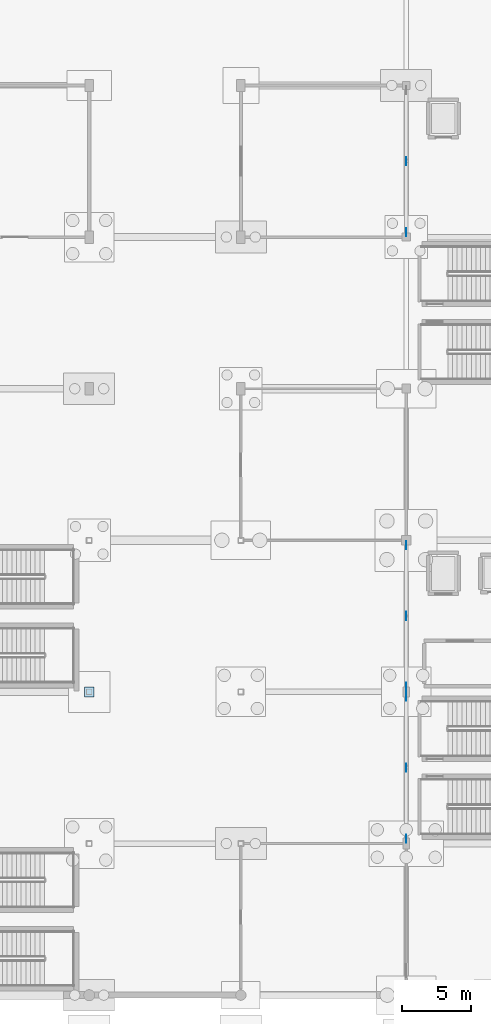
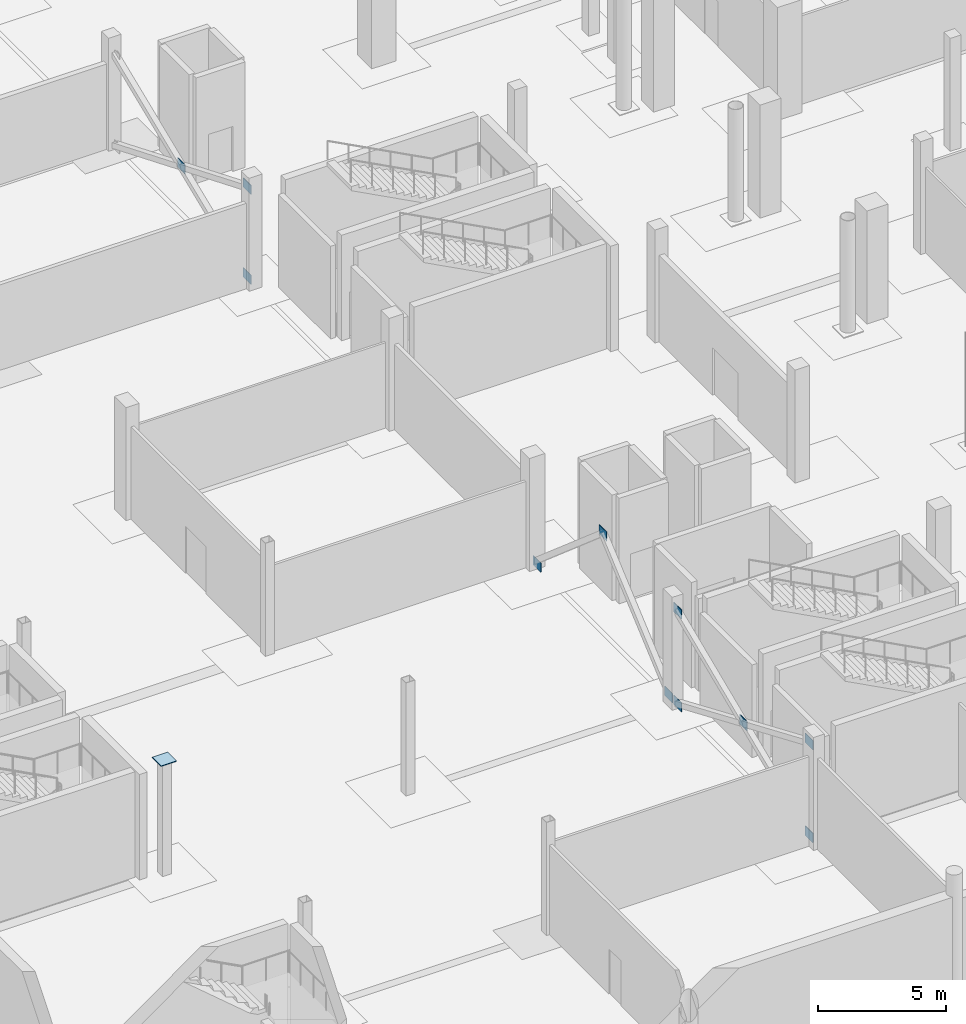
# One storey, part 25 of 60: 12 plates.
"""IFC4 building model written with IfcOpenShell, lengths in metres."""

from ifc_helpers import new_model, si_unit, direction, frame, origin, origin_2d, place, context, subcontext, project, spatial, rectangle, extrude, material, layer, layer_set, type_object, element, save


model = new_model("IFC4")

# Units and contexts
model_context = context("Model", 3, precision=1e-05, world=origin(), true_north=direction((0.0, 1.0)))
body_context = subcontext(model_context, "Body", "Model", "MODEL_VIEW")
ifc_project = project(units=[si_unit("LENGTHUNIT", "METRE"), si_unit("AREAUNIT", "SQUARE_METRE"), si_unit("VOLUMEUNIT", "CUBIC_METRE"), si_unit("PLANEANGLEUNIT", "RADIAN"), si_unit("MASSUNIT", "GRAM", prefix="KILO")], contexts=[model_context])

# Site, building, storey
site_placement = place(None, origin())
site = spatial("IfcSite", under=ifc_project, at=site_placement, CompositionType="ELEMENT")
building_placement = place(site_placement, origin())
building = spatial("IfcBuilding", under=site, at=building_placement, Name="Luwafu Chhajja Arena", CompositionType="ELEMENT")
storey_placement = place(building_placement, frame((0.0, 0.0, -5.39990234375)))
storey = spatial("IfcBuildingStorey", under=building, at=storey_placement, Name="B1", CompositionType="ELEMENT", Elevation=-5.39990234375)

# Plates
ifc_material = material(Name="Steel S355", Category="steel")
ifc_layer_1 = layer(ifc_material, 0.031982421875, Name="Steel S355")
ifc_layer_set_1 = layer_set([ifc_layer_1], Name="Steel S355")
plate_type_1 = type_object("IfcPlateType", Name="Atrium Column Base Plate BP-2", PredefinedType="USERDEFINED", material=ifc_layer_set_1)
plate_placement = place(storey_placement, frame((11.0, 22.0, 5.39990234375), z_axis=(0.0, 0.0, 1.0), x_axis=(1.0, 0.0, 0.0)))
element("IfcPlate", 1, at=plate_placement, inside=storey, type_object=plate_type_1, Name="B1 Atrium Column Cap Plate BP-2 2/C", ObjectType="BASE PLATE", PredefinedType="USERDEFINED", context=body_context, shape_type="SweptSolid", body=[
    extrude(rectangle(XDim=0.699951171875, YDim=0.699951171875, at=origin_2d()), origin(), (0.0, 0.0, 1.0), 0.031982421875),
])
ifc_layer_2 = layer(ifc_material, 0.02197265625, Name="Steel S355")
ifc_layer_set_2 = layer_set([ifc_layer_2], Name="Steel S355")
plate_type_2 = type_object("IfcPlateType", Name="Lateral Brace Gusset Plate BN-1", PredefinedType="USERDEFINED", material=ifc_layer_set_2)
for number, where, z_axis, x_axis, name in (
    (2, (34.0, 27.5, 4.625), (0.0, 0.0, 1.0), (1.0, 0.0, 0.0), "B1 Chevron Apex Gusset Plate BN-1 01"),
    (3, (34.0, 22.35009765625, 0.02490234375), (0.0, 0.0, 1.0), (1.0, 0.0, 0.0), "B1 Brace Base Gusset BN-1 01A"),
    (4, (34.0, 32.64990234375, 0.02490234375), (0.0, 0.0, 1.0), (1.0, 0.0, 0.0), "B1 Brace Base Gusset BN-1 01B"),
    (5, (34.0, 60.5, 2.16015625), (0.0, 0.0, 1.0), (1.0, 0.0, 0.0), "B1 X-Brace Crossing Gusset Plate BN-1 01"),
    (6, (34.0, 55.35009765625, 0.01513671875), (0.0, 0.0, 1.0), (1.0, 0.0, 0.0), "B1 X-Brace Corner Gusset BN-1 01BL"),
    (7, (34.0, 55.35009765625, 4.3046875), (0.0, 0.0, 1.0), (1.0, 0.0, 0.0), "B1 X-Brace Corner Gusset BN-1 01TL"),
    (8, (34.0, 16.5, 2.23486328125), (0.0, 0.0, 1.0), (1.0, 0.0, 0.0), "B1 X-Brace Crossing Gusset Plate BN-1 03"),
    (9, (34.0, 11.35009765625, 0.01513671875), (0.0, 0.0, 1.0), (1.0, 0.0, 0.0), "B1 X-Brace Corner Gusset BN-1 03BL"),
    (10, (34.0, 21.64990234375, 0.01513671875), (0.0, 0.0, 1.0), (1.0, 0.0, 0.0), "B1 X-Brace Corner Gusset BN-1 03BR"),
    (11, (34.0, 11.35009765625, 4.455078125), (0.0, 0.0, 1.0), (1.0, 0.0, 0.0), "B1 X-Brace Corner Gusset BN-1 03TL"),
    (12, (34.0, 21.64990234375, 4.455078125), (0.0, 0.0, 1.0), (1.0, 0.0, 0.0), "B1 X-Brace Corner Gusset BN-1 03TR"),
):
    element("IfcPlate", number, at=place(storey_placement, frame(where, z_axis=z_axis, x_axis=x_axis)), inside=storey, type_object=plate_type_2, Name=name, ObjectType="GUSSET PLATE", PredefinedType="USERDEFINED", context=body_context, shape_type="SweptSolid", body=[
        extrude(rectangle(XDim=0.02197265625, YDim=0.60009765625, at=origin_2d()), origin(), (0.0, 0.0, 1.0), 0.449951171875),
    ])

save(model, "model.ifc")
